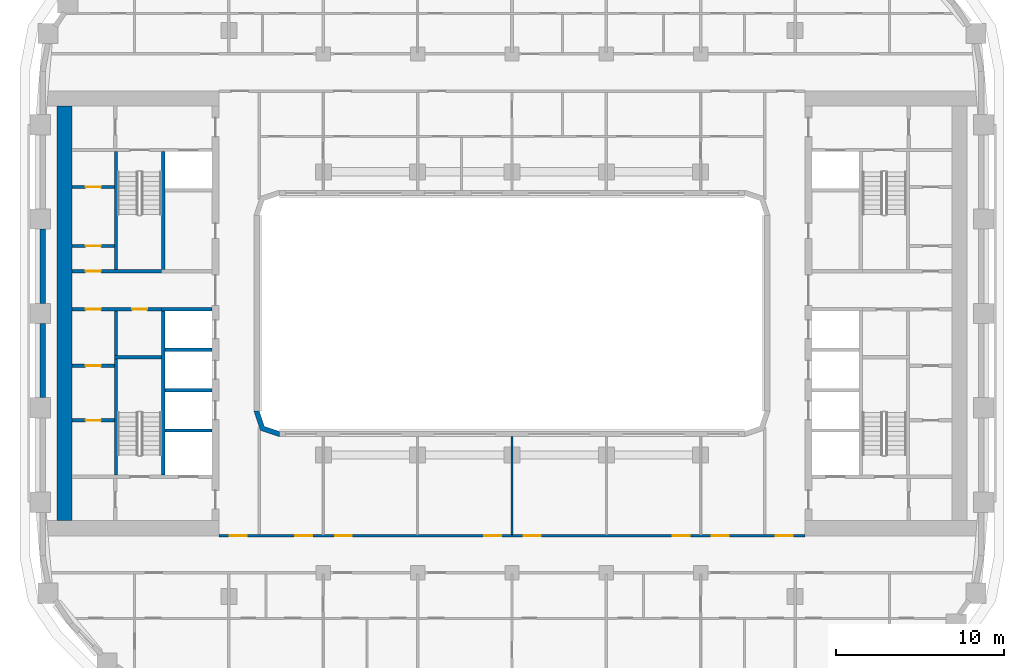
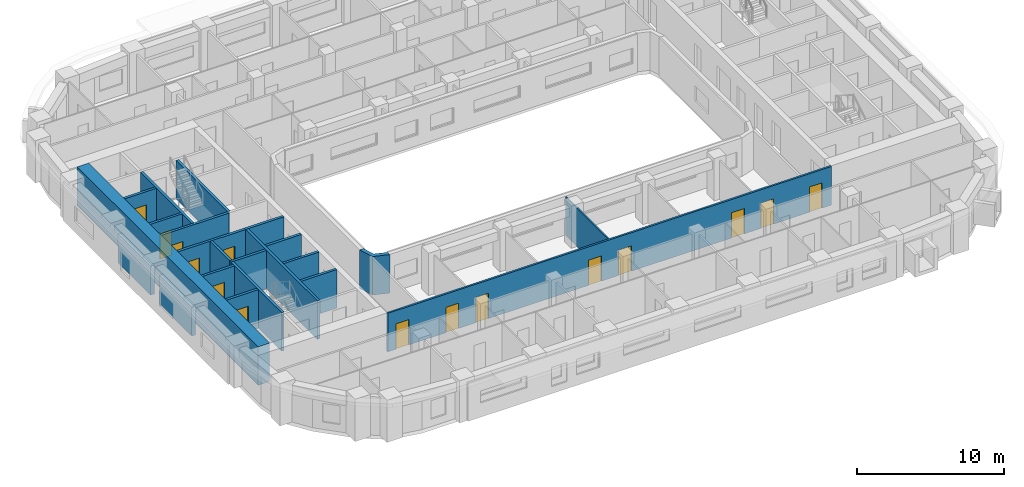
# One storey, part 4 of 22: 22 walls, 15 doors, 15 openings.
"""IFC4 building model written with IfcOpenShell, lengths in metres."""

from ifc_helpers import new_model, si_unit, direction, frame, frame_2d, origin, place, context, subcontext, project, spatial, polyline, rectangle, outline, extrude, material, layer, layer_set, type_object, element, fill, save


model = new_model("IFC4")

# Units and contexts
model_context = context("Model", 3, precision=1e-05, world=origin(), true_north=direction((0.0, 1.0)))
body_context = subcontext(model_context, "Body", "Model", "MODEL_VIEW")
ifc_project = project(units=[si_unit("LENGTHUNIT", "METRE"), si_unit("AREAUNIT", "SQUARE_METRE"), si_unit("VOLUMEUNIT", "CUBIC_METRE"), si_unit("PLANEANGLEUNIT", "RADIAN"), si_unit("MASSUNIT", "GRAM", prefix="KILO")], contexts=[model_context])

# Site, building, storey
site_placement = place(None, origin())
site = spatial("IfcSite", under=ifc_project, at=site_placement, CompositionType="ELEMENT")
building_placement = place(site_placement, origin())
building = spatial("IfcBuilding", under=site, at=building_placement, Name="Kiln Ring Residences", CompositionType="ELEMENT")
storey_placement = place(building_placement, frame((0.0, 0.0, 111.300048828125)))
storey = spatial("IfcBuildingStorey", under=building, at=storey_placement, Name="L28", CompositionType="ELEMENT", Elevation=111.300048828125)

# Wall
ifc_material_1 = material(Name="Gypsum board on steel studs", Category="steel")
ifc_layer_1 = layer(ifc_material_1, 0.199951171875)
ifc_layer_set_1 = layer_set([ifc_layer_1], Name="CORE-PARTITION-200")
wall_type_1 = type_object("IfcWallType", Name="CORE-PARTITION-200", PredefinedType="PARTITIONING", material=ifc_layer_set_1)
wall_1_placement = place(storey_placement, frame((-23.5, -2.5, 0.0), z_axis=(0.0, 0.0, 1.0), x_axis=(0.0, 1.0, 0.0)))
element("IfcWall", 1, at=wall_1_placement, inside=storey, type_object=wall_type_1, Name="Core partition west L28 1", PredefinedType="PARTITIONING", context=body_context, shape_type="SweptSolid", body=[
    extrude(rectangle(XDim=2.64990234375, YDim=0.199951171875, at=frame_2d((1.324951171875, 0.0))), origin(), (0.0, 0.0, 1.0), 3.199951171875),
])

# Wall, openings, doors
wall_2_placement = place(storey_placement, frame((-20.800048828125, 0.25, 0.0), z_axis=(0.0, 0.0, 1.0), x_axis=(-1.0, 0.0, 0.0)))
wall_2 = element("IfcWall", 2, at=wall_2_placement, inside=storey, type_object=wall_type_1, Name="Core partition west L28 2", PredefinedType="PARTITIONING", context=body_context, shape_type="SweptSolid", body=[
    extrude(rectangle(XDim=5.300048828125, YDim=0.199951171875, at=frame_2d((2.64990234375, 0.0))), origin(), (0.0, 0.0, 1.0), 3.199951171875),
])
opening_1_placement = place(wall_2_placement, frame((0.85009765625, 0.0, 0.0)))
opening_1 = element("IfcOpeningElement", 3, at=opening_1_placement, cuts=wall_2, Name="Opening L28-CW14", PredefinedType="OPENING", context=body_context, shape_type="SweptSolid", body=[
    extrude(rectangle(XDim=0.89990234375, YDim=2.10009765625, at=frame_2d((0.449951171875, 1.050048828125))), frame((0.0, 0.10986328125, 0.0), z_axis=(0.0, -1.0, 0.0), x_axis=(1.0, 0.0, 0.0)), (0.0, 0.0, 1.0), 0.219970703125),
])
opening_2_placement = place(wall_2_placement, frame((3.60009765625, 0.0, 0.0)))
opening_2 = element("IfcOpeningElement", 4, at=opening_2_placement, cuts=wall_2, Name="Opening L28-CW17", PredefinedType="OPENING", context=body_context, shape_type="SweptSolid", body=[
    extrude(rectangle(XDim=0.89990234375, YDim=2.10009765625, at=frame_2d((0.449951171875, 1.050048828125))), frame((0.0, 0.10986328125, 0.0), z_axis=(0.0, -1.0, 0.0), x_axis=(1.0, 0.0, 0.0)), (0.0, 0.0, 1.0), 0.219970703125),
])
ifc_material_2 = material(Name="Steel door leaf", Category="steel")
door_type_1 = type_object("IfcDoorType", Name="CORE-DOOR-ROOM", OperationType="SINGLE_SWING_LEFT", PredefinedType="DOOR", material=ifc_material_2)
door_1_placement = place(opening_1_placement, origin())
door_1 = element("IfcDoor", 5, at=door_1_placement, inside=storey, type_object=door_type_1, Name="Electrical riser room L28-CW14", OperationType="SINGLE_SWING_RIGHT", OverallHeight=2.10009765625, OverallWidth=0.89990234375, PredefinedType="DOOR", context=body_context, shape_type="SweptSolid", body=[
    extrude(rectangle(XDim=0.89990234375, YDim=2.10009765625, at=frame_2d((0.449951171875, 1.050048828125))), frame((0.0, 0.02490234375, 0.0), z_axis=(0.0, -1.0, 0.0), x_axis=(1.0, 0.0, 0.0)), (0.0, 0.0, 1.0), 0.050048828125),
])
fill(opening_1, door_1)
door_2_placement = place(opening_2_placement, origin())
door_2 = element("IfcDoor", 6, at=door_2_placement, inside=storey, type_object=door_type_1, Name="Plant room L28-CW17", OperationType="SINGLE_SWING_LEFT", OverallHeight=2.10009765625, OverallWidth=0.89990234375, PredefinedType="DOOR", context=body_context, shape_type="SweptSolid", body=[
    extrude(rectangle(XDim=0.89990234375, YDim=2.10009765625, at=frame_2d((0.449951171875, 1.050048828125))), frame((0.0, 0.02490234375, 0.0), z_axis=(0.0, -1.0, 0.0), x_axis=(1.0, 0.0, 0.0)), (0.0, 0.0, 1.0), 0.050048828125),
])
fill(opening_2, door_2)

# Wall, opening, door
wall_3_placement = place(storey_placement, frame((-23.60009765625, -6.35009765625, 0.0), z_axis=(0.0, 0.0, 1.0), x_axis=(-1.0, 0.0, 0.0)))
wall_3 = element("IfcWall", 7, at=wall_3_placement, inside=storey, type_object=wall_type_1, Name="Core partition west L28 5", PredefinedType="PARTITIONING", context=body_context, shape_type="SweptSolid", body=[
    extrude(rectangle(XDim=2.5, YDim=0.199951171875, at=frame_2d((1.25, 0.0))), origin(), (0.0, 0.0, 1.0), 3.199951171875),
])
opening_3_placement = place(wall_3_placement, frame((0.800048828125, 0.0, 0.0)))
opening_3 = element("IfcOpeningElement", 8, at=opening_3_placement, cuts=wall_3, Name="Opening L28-CW15", PredefinedType="OPENING", context=body_context, shape_type="SweptSolid", body=[
    extrude(rectangle(XDim=0.89990234375, YDim=2.10009765625, at=frame_2d((0.449951171875, 1.050048828125))), frame((0.0, 0.10986328125, 0.0), z_axis=(0.0, -1.0, 0.0), x_axis=(1.0, 0.0, 0.0)), (0.0, 0.0, 1.0), 0.219970703125),
])
door_3_placement = place(opening_3_placement, origin())
door_3 = element("IfcDoor", 9, at=door_3_placement, inside=storey, type_object=door_type_1, Name="Meter room L28-CW15", OperationType="SINGLE_SWING_RIGHT", OverallHeight=2.10009765625, OverallWidth=0.89990234375, PredefinedType="DOOR", context=body_context, shape_type="SweptSolid", body=[
    extrude(rectangle(XDim=0.89990234375, YDim=2.10009765625, at=frame_2d((0.449951171875, 1.050048828125))), frame((0.0, 0.02490234375, 0.0), z_axis=(0.0, -1.0, 0.0), x_axis=(1.0, 0.0, 0.0)), (0.0, 0.0, 1.0), 0.050048828125),
])
fill(opening_3, door_3)

wall_4_placement = place(storey_placement, frame((-23.60009765625, -3.10009765625, 0.0), z_axis=(0.0, 0.0, 1.0), x_axis=(-1.0, 0.0, 0.0)))
wall_4 = element("IfcWall", 10, at=wall_4_placement, inside=storey, type_object=wall_type_1, Name="Core partition west L28 6", PredefinedType="PARTITIONING", context=body_context, shape_type="SweptSolid", body=[
    extrude(rectangle(XDim=2.5, YDim=0.199951171875, at=frame_2d((1.25, 0.0))), origin(), (0.0, 0.0, 1.0), 3.199951171875),
])
opening_4_placement = place(wall_4_placement, frame((0.800048828125, 0.0, 0.0)))
opening_4 = element("IfcOpeningElement", 11, at=opening_4_placement, cuts=wall_4, Name="Opening L28-CW16", PredefinedType="OPENING", context=body_context, shape_type="SweptSolid", body=[
    extrude(rectangle(XDim=0.89990234375, YDim=2.10009765625, at=frame_2d((0.449951171875, 1.050048828125))), frame((0.0, 0.10986328125, 0.0), z_axis=(0.0, -1.0, 0.0), x_axis=(1.0, 0.0, 0.0)), (0.0, 0.0, 1.0), 0.219970703125),
])
door_4_placement = place(opening_4_placement, origin())
door_4 = element("IfcDoor", 12, at=door_4_placement, inside=storey, type_object=door_type_1, Name="Plant room L28-CW16", OperationType="SINGLE_SWING_LEFT", OverallHeight=2.10009765625, OverallWidth=0.89990234375, PredefinedType="DOOR", context=body_context, shape_type="SweptSolid", body=[
    extrude(rectangle(XDim=0.89990234375, YDim=2.10009765625, at=frame_2d((0.449951171875, 1.050048828125))), frame((0.0, 0.02490234375, 0.0), z_axis=(0.0, -1.0, 0.0), x_axis=(1.0, 0.0, 0.0)), (0.0, 0.0, 1.0), 0.050048828125),
])
fill(opening_4, door_4)

wall_5_placement = place(storey_placement, frame((-23.60009765625, 4.0, 0.0), z_axis=(0.0, 0.0, 1.0), x_axis=(-1.0, 0.0, 0.0)))
wall_5 = element("IfcWall", 13, at=wall_5_placement, inside=storey, type_object=wall_type_1, Name="Core partition west L28 7", PredefinedType="PARTITIONING", context=body_context, shape_type="SweptSolid", body=[
    extrude(rectangle(XDim=2.5, YDim=0.199951171875, at=frame_2d((1.25, 0.0))), origin(), (0.0, 0.0, 1.0), 3.199951171875),
])
opening_5_placement = place(wall_5_placement, frame((0.800048828125, 0.0, 0.0)))
opening_5 = element("IfcOpeningElement", 14, at=opening_5_placement, cuts=wall_5, Name="Opening L28-CW18", PredefinedType="OPENING", context=body_context, shape_type="SweptSolid", body=[
    extrude(rectangle(XDim=0.89990234375, YDim=2.10009765625, at=frame_2d((0.449951171875, 1.050048828125))), frame((0.0, 0.10986328125, 0.0), z_axis=(0.0, -1.0, 0.0), x_axis=(1.0, 0.0, 0.0)), (0.0, 0.0, 1.0), 0.219970703125),
])
door_5_placement = place(opening_5_placement, origin())
door_5 = element("IfcDoor", 15, at=door_5_placement, inside=storey, type_object=door_type_1, Name="Electrical plant room L28-CW18", OperationType="SINGLE_SWING_LEFT", OverallHeight=2.10009765625, OverallWidth=0.89990234375, PredefinedType="DOOR", context=body_context, shape_type="SweptSolid", body=[
    extrude(rectangle(XDim=0.89990234375, YDim=2.10009765625, at=frame_2d((0.449951171875, 1.050048828125))), frame((0.0, 0.02490234375, 0.0), z_axis=(0.0, -1.0, 0.0), x_axis=(1.0, 0.0, 0.0)), (0.0, 0.0, 1.0), 0.050048828125),
])
fill(opening_5, door_5)

wall_6_placement = place(storey_placement, frame((-23.60009765625, 7.5, 0.0), z_axis=(0.0, 0.0, 1.0), x_axis=(-1.0, 0.0, 0.0)))
wall_6 = element("IfcWall", 16, at=wall_6_placement, inside=storey, type_object=wall_type_1, Name="Core partition west L28 8", PredefinedType="PARTITIONING", context=body_context, shape_type="SweptSolid", body=[
    extrude(rectangle(XDim=2.5, YDim=0.199951171875, at=frame_2d((1.25, 0.0))), origin(), (0.0, 0.0, 1.0), 3.199951171875),
])
opening_6_placement = place(wall_6_placement, frame((0.800048828125, 0.0, 0.0)))
opening_6 = element("IfcOpeningElement", 17, at=opening_6_placement, cuts=wall_6, Name="Opening L28-CW19", PredefinedType="OPENING", context=body_context, shape_type="SweptSolid", body=[
    extrude(rectangle(XDim=0.89990234375, YDim=2.10009765625, at=frame_2d((0.449951171875, 1.050048828125))), frame((0.0, 0.10986328125, 0.0), z_axis=(0.0, -1.0, 0.0), x_axis=(1.0, 0.0, 0.0)), (0.0, 0.0, 1.0), 0.219970703125),
])
door_6_placement = place(opening_6_placement, origin())
door_6 = element("IfcDoor", 18, at=door_6_placement, inside=storey, type_object=door_type_1, Name="UPS room L28-CW19", OperationType="SINGLE_SWING_RIGHT", OverallHeight=2.10009765625, OverallWidth=0.89990234375, PredefinedType="DOOR", context=body_context, shape_type="SweptSolid", body=[
    extrude(rectangle(XDim=0.89990234375, YDim=2.10009765625, at=frame_2d((0.449951171875, 1.050048828125))), frame((0.0, 0.02490234375, 0.0), z_axis=(0.0, -1.0, 0.0), x_axis=(1.0, 0.0, 0.0)), (0.0, 0.0, 1.0), 0.050048828125),
])
fill(opening_6, door_6)

# Walls
ifc_material_3 = material(Name="Gypsum shaft wall system")
ifc_layer_2 = layer(ifc_material_3, 0.199951171875)
ifc_layer_set_2 = layer_set([ifc_layer_2], Name="CORE-SHAFT-WALL-200")
wall_type_2 = type_object("IfcWallType", Name="CORE-SHAFT-WALL-200", PredefinedType="PARTITIONING", material=ifc_layer_set_2)
for number, where, z_axis, x_axis, name in (
    (19, (-17.800048828125, -6.949951171875, 0.0), (0.0, 0.0, 1.0), (-1.0, 0.0, 0.0), "Core partition west L28 9"),
    (20, (-17.800048828125, -4.550048828125, 0.0), (0.0, 0.0, 1.0), (-1.0, 0.0, 0.0), "Core partition west L28 10"),
    (21, (-17.800048828125, -2.14990234375, 0.0), (0.0, 0.0, 1.0), (-1.0, 0.0, 0.0), "Core partition west L28 11"),
):
    element("IfcWall", number, at=place(storey_placement, frame(where, z_axis=z_axis, x_axis=x_axis)), inside=storey, type_object=wall_type_2, Name=name, PredefinedType="PARTITIONING", context=body_context, shape_type="SweptSolid", body=[
        extrude(rectangle(XDim=2.800048828125, YDim=0.199951171875, at=frame_2d((1.39990234375, 0.0))), origin(), (0.0, 0.0, 1.0), 3.199951171875),
    ])
wall_7_placement = place(storey_placement, frame((-17.800048828125, 0.25, 0.0), z_axis=(0.0, 0.0, 1.0), x_axis=(-1.0, 0.0, 0.0)))
element("IfcWall", 22, at=wall_7_placement, inside=storey, type_object=wall_type_2, Name="Core partition west L28 12", PredefinedType="PARTITIONING", context=body_context, shape_type="SweptSolid", body=[
    extrude(rectangle(XDim=3.0, YDim=0.199951171875, at=frame_2d((1.5, 0.0))), origin(), (0.0, 0.0, 1.0), 3.199951171875),
])
ifc_material_4 = material(Name="Concrete C40/50", Category="concrete")
ifc_layer_3 = layer(ifc_material_4, 0.199951171875)
ifc_layer_set_3 = layer_set([ifc_layer_3], Name="CORE-WALL-RC200")
wall_type_3 = type_object("IfcWallType", Name="CORE-WALL-RC200", PredefinedType="SHEAR", material=ifc_layer_set_3)
wall_8_placement = place(storey_placement, frame((-20.699951171875, 2.60009765625, 0.0), z_axis=(0.0, 0.0, 1.0), x_axis=(0.0, 1.0, 0.0)))
element("IfcWall", 23, at=wall_8_placement, inside=storey, type_object=wall_type_3, Name="Core wall west L28 1", PredefinedType="SHEAR", context=body_context, shape_type="SweptSolid", body=[
    extrude(rectangle(XDim=7.0, YDim=0.199951171875, at=frame_2d((3.5, 0.0))), origin(), (0.0, 0.0, 1.0), 3.199951171875),
])
wall_9_placement = place(storey_placement, frame((-20.699951171875, -9.60009765625, 0.0), z_axis=(0.0, 0.0, 1.0), x_axis=(0.0, 1.0, 0.0)))
element("IfcWall", 24, at=wall_9_placement, inside=storey, type_object=wall_type_3, Name="Core wall west L28 2", PredefinedType="SHEAR", context=body_context, shape_type="SweptSolid", body=[
    extrude(rectangle(XDim=9.75, YDim=0.199951171875, at=frame_2d((4.875, 0.0))), origin(), (0.0, 0.0, 1.0), 3.199951171875),
])

# Wall, opening, door
wall_10_placement = place(storey_placement, frame((-20.800048828125, 2.5, 0.0), z_axis=(0.0, 0.0, 1.0), x_axis=(-1.0, 0.0, 0.0)))
wall_10 = element("IfcWall", 25, at=wall_10_placement, inside=storey, type_object=wall_type_3, Name="Core wall west L28 3", PredefinedType="SHEAR", context=body_context, shape_type="SweptSolid", body=[
    extrude(rectangle(XDim=5.300048828125, YDim=0.199951171875, at=frame_2d((2.64990234375, 0.0))), origin(), (0.0, 0.0, 1.0), 3.199951171875),
])
opening_7_placement = place(wall_10_placement, frame((3.60009765625, 0.0, 0.0)))
opening_7 = element("IfcOpeningElement", 26, at=opening_7_placement, cuts=wall_10, Name="Opening L28-CW20", PredefinedType="OPENING", context=body_context, shape_type="SweptSolid", body=[
    extrude(rectangle(XDim=0.89990234375, YDim=2.10009765625, at=frame_2d((0.449951171875, 1.050048828125))), frame((0.0, 0.10986328125, 0.0), z_axis=(0.0, -1.0, 0.0), x_axis=(1.0, 0.0, 0.0)), (0.0, 0.0, 1.0), 0.219970703125),
])
door_7_placement = place(opening_7_placement, origin())
door_7 = element("IfcDoor", 27, at=door_7_placement, inside=storey, type_object=door_type_1, Name="Comms room L28-CW20", OperationType="SINGLE_SWING_LEFT", OverallHeight=2.10009765625, OverallWidth=0.89990234375, PredefinedType="DOOR", context=body_context, shape_type="SweptSolid", body=[
    extrude(rectangle(XDim=0.89990234375, YDim=2.10009765625, at=frame_2d((0.449951171875, 1.050048828125))), frame((0.0, 0.02490234375, 0.0), z_axis=(0.0, -1.0, 0.0), x_axis=(1.0, 0.0, 0.0)), (0.0, 0.0, 1.0), 0.050048828125),
])
fill(opening_7, door_7)

# Walls
wall_11_placement = place(storey_placement, frame((-23.5, 2.60009765625, 0.0), z_axis=(0.0, 0.0, 1.0), x_axis=(0.0, 1.0, 0.0)))
element("IfcWall", 28, at=wall_11_placement, inside=storey, type_object=wall_type_3, Name="Core wall west L28 10", PredefinedType="SHEAR", context=body_context, shape_type="SweptSolid", body=[
    extrude(rectangle(XDim=7.0, YDim=0.199951171875, at=frame_2d((3.5, 0.0))), origin(), (0.0, 0.0, 1.0), 3.199951171875),
])
wall_12_placement = place(storey_placement, frame((-23.5, -9.60009765625, 0.0), z_axis=(0.0, 0.0, 1.0), x_axis=(0.0, 1.0, 0.0)))
element("IfcWall", 29, at=wall_12_placement, inside=storey, type_object=wall_type_3, Name="Core wall west L28 11", PredefinedType="SHEAR", context=body_context, shape_type="SweptSolid", body=[
    extrude(rectangle(XDim=6.900146484375, YDim=0.199951171875, at=frame_2d((3.4501953125, 0.0))), origin(), (0.0, 0.0, 1.0), 3.199951171875),
])
wall_13_placement = place(storey_placement, frame((-20.800048828125, -2.60009765625, 0.0), z_axis=(0.0, 0.0, 1.0), x_axis=(-1.0, 0.0, 0.0)))
element("IfcWall", 30, at=wall_13_placement, inside=storey, type_object=wall_type_3, Name="Core wall west L28 12", PredefinedType="SHEAR", context=body_context, shape_type="SweptSolid", body=[
    extrude(rectangle(XDim=2.800048828125, YDim=0.199951171875, at=frame_2d((1.39990234375, 0.0))), origin(), (0.0, 0.0, 1.0), 3.199951171875),
])
ifc_material_5 = material(Name="Concrete C60/75", Category="concrete")
ifc_layer_4 = layer(ifc_material_5, 0.89990234375)
ifc_layer_set_4 = layer_set([ifc_layer_4], Name="CORE-WALL-RC900")
wall_type_4 = type_object("IfcWallType", Name="CORE-WALL-RC900", PredefinedType="SHEAR", material=ifc_layer_set_4)
wall_14_placement = place(storey_placement, frame((-26.550048828125, -12.300048828125, 0.0), z_axis=(0.0, 0.0, 1.0), x_axis=(0.0, 1.0, 0.0)))
element("IfcWall", 31, at=wall_14_placement, inside=storey, type_object=wall_type_4, Name="Core wall west L28 7", PredefinedType="SHEAR", context=body_context, shape_type="SweptSolid", body=[
    extrude(rectangle(XDim=24.60009765625, YDim=0.89990234375, at=frame_2d((12.300048828125, 0.0))), origin(), (0.0, 0.0, 1.0), 3.199951171875),
])
ifc_material_6 = material(Name="Brick masonry, dark clay brick", Category="masonry")
ifc_layer_5 = layer(ifc_material_6, 0.300048828125)
ifc_layer_set_5 = layer_set([ifc_layer_5], Name="EW-300 BRICK WALL")
wall_type_5 = type_object("IfcWallType", Name="EW-300 BRICK WALL", PredefinedType="SOLIDWALL", material=ifc_layer_set_5)
for number, where, z_axis, x_axis, name in (
    (32, (-27.85009765625, 5.0, 0.0), (0.0, 0.0, 1.0), (0.0, -1.0, 0.0), "Facade wall L28 43"),
    (33, (-27.85009765625, -0.60009765625, 0.0), (0.0, 0.0, 1.0), (0.0, -1.0, 0.0), "Facade wall L28 44"),
):
    element("IfcWall", number, at=place(storey_placement, frame(where, z_axis=z_axis, x_axis=x_axis)), inside=storey, type_object=wall_type_5, Name=name, PredefinedType="SOLIDWALL", context=body_context, shape_type="SweptSolid", body=[
        extrude(rectangle(XDim=4.39990234375, YDim=0.300048828125, at=frame_2d((2.199951171875, 0.0))), origin(), (0.0, 0.0, 1.0), 2.39990234375),
    ])
wall_15_placement = place(storey_placement, origin())
element("IfcWall", 34, at=wall_15_placement, inside=storey, type_object=wall_type_5, Name="Corner wall L28 4", PredefinedType="SOLIDWALL", context=body_context, shape_type="SweptSolid", body=[
    extrude(outline(polyline([(-14.937255859375, -6.937255859375), (-13.8486328125, -7.300048828125), (-13.800048828125, -7.300048828125), (-13.800048828125, -7.0), (-14.699951171875, -6.699951171875), (-15.0, -5.800048828125), (-15.300048828125, -5.800048828125), (-15.300048828125, -5.8486328125), (-14.937255859375, -6.937255859375)])), origin(), (0.0, 0.0, 1.0), 3.199951171875),
])
ifc_material_7 = material(Name="Gypsum board on steel studs", Category="steel")
ifc_layer_6 = layer(ifc_material_7, 0.10009765625)
ifc_layer_set_6 = layer_set([ifc_layer_6], Name="PARTITION-100")
wall_type_6 = type_object("IfcWallType", Name="PARTITION-100", PredefinedType="PARTITIONING", material=ifc_layer_set_6)
wall_16_placement = place(storey_placement, frame((0.0, -13.125, 0.0), z_axis=(0.0, 0.0, 1.0), x_axis=(0.0, 1.0, 0.0)))
element("IfcWall", 35, at=wall_16_placement, inside=storey, type_object=wall_type_6, Name="Partition 037", PredefinedType="PARTITIONING", context=body_context, shape_type="SweptSolid", body=[
    extrude(rectangle(XDim=5.804931640625, YDim=0.10009765625, at=frame_2d((2.90234375, 0.0))), origin(), (0.0, 0.0, 1.0), 3.199951171875),
])

# Wall, openings, doors
ifc_material_8 = material(Name="Brick masonry partition", Category="masonry")
ifc_layer_7 = layer(ifc_material_8, 0.14990234375)
ifc_layer_set_7 = layer_set([ifc_layer_7], Name="PARTITION-150-ei60")
wall_type_7 = type_object("IfcWallType", Name="PARTITION-150-ei60", PredefinedType="PARTITIONING", material=ifc_layer_set_7)
wall_17_placement = place(storey_placement, frame((-17.39990234375, -13.199951171875, 0.0), z_axis=(0.0, 0.0, 1.0), x_axis=(1.0, 0.0, 0.0)))
wall_17 = element("IfcWall", 36, at=wall_17_placement, inside=storey, type_object=wall_type_7, Name="Partition 002", PredefinedType="PARTITIONING", context=body_context, shape_type="SweptSolid", body=[
    extrude(rectangle(XDim=34.7998046875, YDim=0.14990234375, at=frame_2d((17.39990234375, 0.0))), origin(), (0.0, 0.0, 1.0), 3.199951171875),
])
opening_8_placement = place(wall_17_placement, frame((0.64990234375, 0.0, 0.0)))
opening_8 = element("IfcOpeningElement", 37, at=opening_8_placement, cuts=wall_17, Name="Opening L28-D003", PredefinedType="OPENING", context=body_context, shape_type="SweptSolid", body=[
    extrude(rectangle(XDim=1.0, YDim=2.10009765625, at=frame_2d((0.5, 1.050048828125))), frame((0.0, 0.0849609375, 0.0), z_axis=(0.0, -1.0, 0.0), x_axis=(1.0, 0.0, 0.0)), (0.0, 0.0, 1.0), 0.169921875),
])
opening_9_placement = place(wall_17_placement, frame((33.050048828125, 0.0, 0.0)))
opening_9 = element("IfcOpeningElement", 38, at=opening_9_placement, cuts=wall_17, Name="Opening L28-D004", PredefinedType="OPENING", context=body_context, shape_type="SweptSolid", body=[
    extrude(rectangle(XDim=1.0, YDim=2.10009765625, at=frame_2d((0.5, 1.050048828125))), frame((0.0, 0.0849609375, 0.0), z_axis=(0.0, -1.0, 0.0), x_axis=(1.0, 0.0, 0.0)), (0.0, 0.0, 1.0), 0.169921875),
])
opening_10_placement = place(wall_17_placement, frame((4.550048828125, 0.0, 0.0)))
opening_10 = element("IfcOpeningElement", 39, at=opening_10_placement, cuts=wall_17, Name="Opening L28-D043", PredefinedType="OPENING", context=body_context, shape_type="SweptSolid", body=[
    extrude(rectangle(XDim=1.0, YDim=2.10009765625, at=frame_2d((0.5, 1.050048828125))), frame((0.0, 0.0849609375, 0.0), z_axis=(0.0, -1.0, 0.0), x_axis=(1.0, 0.0, 0.0)), (0.0, 0.0, 1.0), 0.169921875),
])
opening_11_placement = place(wall_17_placement, frame((6.89990234375, 0.0, 0.0)))
opening_11 = element("IfcOpeningElement", 40, at=opening_11_placement, cuts=wall_17, Name="Opening L28-D044", PredefinedType="OPENING", context=body_context, shape_type="SweptSolid", body=[
    extrude(rectangle(XDim=1.0, YDim=2.10009765625, at=frame_2d((0.5, 1.050048828125))), frame((0.0, 0.0849609375, 0.0), z_axis=(0.0, -1.0, 0.0), x_axis=(1.0, 0.0, 0.0)), (0.0, 0.0, 1.0), 0.169921875),
])
opening_12_placement = place(wall_17_placement, frame((15.75, 0.0, 0.0)))
opening_12 = element("IfcOpeningElement", 41, at=opening_12_placement, cuts=wall_17, Name="Opening L28-D045", PredefinedType="OPENING", context=body_context, shape_type="SweptSolid", body=[
    extrude(rectangle(XDim=1.0, YDim=2.10009765625, at=frame_2d((0.5, 1.050048828125))), frame((0.0, 0.0849609375, 0.0), z_axis=(0.0, -1.0, 0.0), x_axis=(1.0, 0.0, 0.0)), (0.0, 0.0, 1.0), 0.169921875),
])
opening_13_placement = place(wall_17_placement, frame((18.10009765625, 0.0, 0.0)))
opening_13 = element("IfcOpeningElement", 42, at=opening_13_placement, cuts=wall_17, Name="Opening L28-D046", PredefinedType="OPENING", context=body_context, shape_type="SweptSolid", body=[
    extrude(rectangle(XDim=1.0, YDim=2.10009765625, at=frame_2d((0.5, 1.050048828125))), frame((0.0, 0.0849609375, 0.0), z_axis=(0.0, -1.0, 0.0), x_axis=(1.0, 0.0, 0.0)), (0.0, 0.0, 1.0), 0.169921875),
])
opening_14_placement = place(wall_17_placement, frame((26.949951171875, 0.0, 0.0)))
opening_14 = element("IfcOpeningElement", 43, at=opening_14_placement, cuts=wall_17, Name="Opening L28-D047", PredefinedType="OPENING", context=body_context, shape_type="SweptSolid", body=[
    extrude(rectangle(XDim=1.0, YDim=2.10009765625, at=frame_2d((0.5, 1.050048828125))), frame((0.0, 0.0849609375, 0.0), z_axis=(0.0, -1.0, 0.0), x_axis=(1.0, 0.0, 0.0)), (0.0, 0.0, 1.0), 0.169921875),
])
opening_15_placement = place(wall_17_placement, frame((29.25, 0.0, 0.0)))
opening_15 = element("IfcOpeningElement", 44, at=opening_15_placement, cuts=wall_17, Name="Opening L28-D048", PredefinedType="OPENING", context=body_context, shape_type="SweptSolid", body=[
    extrude(rectangle(XDim=1.0, YDim=2.10009765625, at=frame_2d((0.5, 1.050048828125))), frame((0.0, 0.0849609375, 0.0), z_axis=(0.0, -1.0, 0.0), x_axis=(1.0, 0.0, 0.0)), (0.0, 0.0, 1.0), 0.169921875),
])
ifc_material_9 = material(Name="Steel faced fire door leaf", Category="steel")
door_type_2 = type_object("IfcDoorType", Name="FLAT-DOOR-1000-FR", OperationType="SINGLE_SWING_LEFT", PredefinedType="DOOR", material=ifc_material_9)
door_8_placement = place(opening_8_placement, origin())
door_8 = element("IfcDoor", 45, at=door_8_placement, inside=storey, type_object=door_type_2, Name="Door L28-D003", OperationType="SINGLE_SWING_RIGHT", OverallHeight=2.10009765625, OverallWidth=1.0, PredefinedType="DOOR", context=body_context, shape_type="SweptSolid", body=[
    extrude(rectangle(XDim=1.0, YDim=2.10009765625, at=frame_2d((0.5, 1.050048828125))), frame((0.0, 0.02490234375, 0.0), z_axis=(0.0, -1.0, 0.0), x_axis=(1.0, 0.0, 0.0)), (0.0, 0.0, 1.0), 0.050048828125),
])
fill(opening_8, door_8)
door_9_placement = place(opening_9_placement, origin())
door_9 = element("IfcDoor", 46, at=door_9_placement, inside=storey, type_object=door_type_2, Name="Door L28-D004", OperationType="SINGLE_SWING_LEFT", OverallHeight=2.10009765625, OverallWidth=1.0, PredefinedType="DOOR", context=body_context, shape_type="SweptSolid", body=[
    extrude(rectangle(XDim=1.0, YDim=2.10009765625, at=frame_2d((0.5, 1.050048828125))), frame((0.0, 0.02490234375, 0.0), z_axis=(0.0, -1.0, 0.0), x_axis=(1.0, 0.0, 0.0)), (0.0, 0.0, 1.0), 0.050048828125),
])
fill(opening_9, door_9)
door_10_placement = place(opening_10_placement, origin())
door_10 = element("IfcDoor", 47, at=door_10_placement, inside=storey, type_object=door_type_2, Name="Door L28-D043", OperationType="SINGLE_SWING_LEFT", OverallHeight=2.10009765625, OverallWidth=1.0, PredefinedType="DOOR", context=body_context, shape_type="SweptSolid", body=[
    extrude(rectangle(XDim=1.0, YDim=2.10009765625, at=frame_2d((0.5, 1.050048828125))), frame((0.0, 0.02490234375, 0.0), z_axis=(0.0, -1.0, 0.0), x_axis=(1.0, 0.0, 0.0)), (0.0, 0.0, 1.0), 0.050048828125),
])
fill(opening_10, door_10)
door_11_placement = place(opening_11_placement, origin())
door_11 = element("IfcDoor", 48, at=door_11_placement, inside=storey, type_object=door_type_2, Name="Door L28-D044", OperationType="SINGLE_SWING_RIGHT", OverallHeight=2.10009765625, OverallWidth=1.0, PredefinedType="DOOR", context=body_context, shape_type="SweptSolid", body=[
    extrude(rectangle(XDim=1.0, YDim=2.10009765625, at=frame_2d((0.5, 1.050048828125))), frame((0.0, 0.02490234375, 0.0), z_axis=(0.0, -1.0, 0.0), x_axis=(1.0, 0.0, 0.0)), (0.0, 0.0, 1.0), 0.050048828125),
])
fill(opening_11, door_11)
door_12_placement = place(opening_12_placement, origin())
door_12 = element("IfcDoor", 49, at=door_12_placement, inside=storey, type_object=door_type_2, Name="Door L28-D045", OperationType="SINGLE_SWING_LEFT", OverallHeight=2.10009765625, OverallWidth=1.0, PredefinedType="DOOR", context=body_context, shape_type="SweptSolid", body=[
    extrude(rectangle(XDim=1.0, YDim=2.10009765625, at=frame_2d((0.5, 1.050048828125))), frame((0.0, 0.02490234375, 0.0), z_axis=(0.0, -1.0, 0.0), x_axis=(1.0, 0.0, 0.0)), (0.0, 0.0, 1.0), 0.050048828125),
])
fill(opening_12, door_12)
door_13_placement = place(opening_13_placement, origin())
door_13 = element("IfcDoor", 50, at=door_13_placement, inside=storey, type_object=door_type_2, Name="Door L28-D046", OperationType="SINGLE_SWING_RIGHT", OverallHeight=2.10009765625, OverallWidth=1.0, PredefinedType="DOOR", context=body_context, shape_type="SweptSolid", body=[
    extrude(rectangle(XDim=1.0, YDim=2.10009765625, at=frame_2d((0.5, 1.050048828125))), frame((0.0, 0.02490234375, 0.0), z_axis=(0.0, -1.0, 0.0), x_axis=(1.0, 0.0, 0.0)), (0.0, 0.0, 1.0), 0.050048828125),
])
fill(opening_13, door_13)
door_14_placement = place(opening_14_placement, origin())
door_14 = element("IfcDoor", 51, at=door_14_placement, inside=storey, type_object=door_type_2, Name="Door L28-D047", OperationType="SINGLE_SWING_LEFT", OverallHeight=2.10009765625, OverallWidth=1.0, PredefinedType="DOOR", context=body_context, shape_type="SweptSolid", body=[
    extrude(rectangle(XDim=1.0, YDim=2.10009765625, at=frame_2d((0.5, 1.050048828125))), frame((0.0, 0.02490234375, 0.0), z_axis=(0.0, -1.0, 0.0), x_axis=(1.0, 0.0, 0.0)), (0.0, 0.0, 1.0), 0.050048828125),
])
fill(opening_14, door_14)
door_15_placement = place(opening_15_placement, origin())
door_15 = element("IfcDoor", 52, at=door_15_placement, inside=storey, type_object=door_type_2, Name="Door L28-D048", OperationType="SINGLE_SWING_RIGHT", OverallHeight=2.10009765625, OverallWidth=1.0, PredefinedType="DOOR", context=body_context, shape_type="SweptSolid", body=[
    extrude(rectangle(XDim=1.0, YDim=2.10009765625, at=frame_2d((0.5, 1.050048828125))), frame((0.0, 0.02490234375, 0.0), z_axis=(0.0, -1.0, 0.0), x_axis=(1.0, 0.0, 0.0)), (0.0, 0.0, 1.0), 0.050048828125),
])
fill(opening_15, door_15)

save(model, "model.ifc")
